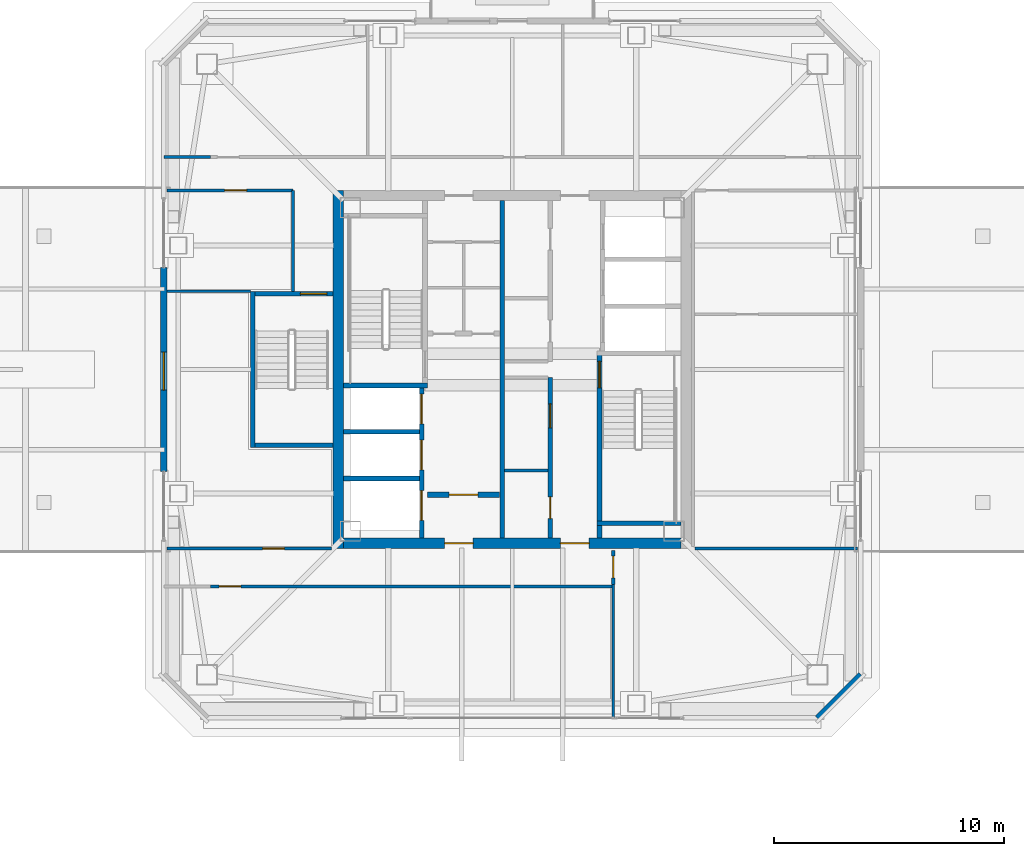
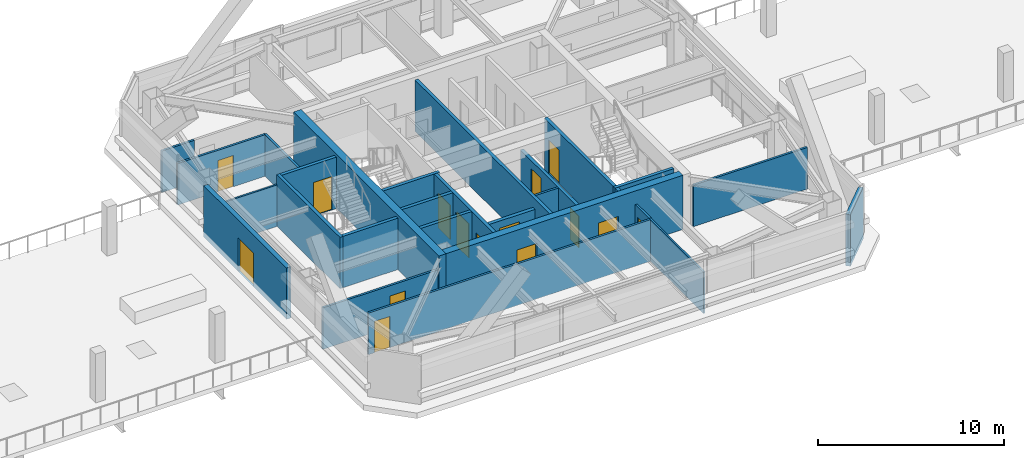
# One storey, part 27 of 37: 26 walls, 15 doors, 15 openings.
"""IFC4 building model written with IfcOpenShell, lengths in metres."""

import ifcopenshell
import ifcopenshell.guid

model = None  # the IFC model being written
_history = None  # IfcOwnerHistory: only IFC2X3 demands one
_inside = {}  # id of a spatial element -> (the spatial element, [elements in it])
_under = {}  # id of a project, library or spatial element -> (it, [spatial elements below it])
_declared = {}  # id of a project -> (the project, [libraries it declares])
_typed = {}  # id of a type object -> (the type object, [elements of that type])
_made_of = {}  # id of a material, layer set ... -> (it, [elements and type objects made of it])


def new_model(schema):
    """Start an empty IFC model of exactly this schema.

    Asked for "IFC4X3", IfcOpenShell would pick the latest addendum, in which some entities
    have other attributes; the version numbers below select the first issue.
    IFC2X3 requires an IfcOwnerHistory on every rooted entity: one is made here for all.
    """
    global model, _history
    if schema == "IFC4X3":
        model = ifcopenshell.file(schema_version=(4, 3, 0, 0))
    else:
        model = ifcopenshell.file(schema=schema)
    _inside.clear()
    _under.clear()
    _declared.clear()
    _typed.clear()
    _made_of.clear()
    _history = None
    if model.schema == "IFC2X3":
        org = make("IfcOrganization", Name="unknown")
        user = make(
            "IfcPersonAndOrganization",
            ThePerson=make("IfcPerson", FamilyName="unknown"),
            TheOrganization=org,
        )
        app = make(
            "IfcApplication",
            ApplicationDeveloper=org,
            Version="unknown",
            ApplicationFullName="unknown",
            ApplicationIdentifier="unknown",
        )
        _history = make(
            "IfcOwnerHistory",
            OwningUser=user,
            OwningApplication=app,
            ChangeAction="ADDED",
            CreationDate=0,
        )
    return model


def make(cls, **values):
    """One entity of the class cls with the attributes given. An attribute that is None is left unset."""
    return model.create_entity(
        cls, **{name: value for name, value in values.items() if value is not None}
    )


def rooted(cls, **values):
    """An entity with a GlobalId (a new one), such as an element, a storey or a relation."""
    return make(cls, GlobalId=ifcopenshell.guid.new(), OwnerHistory=_history, **values)


def si_unit(unit_type, name, prefix=None):
    """IfcSIUnit, for example si_unit("LENGTHUNIT", "METRE", prefix="MILLI")."""
    return make("IfcSIUnit", UnitType=unit_type, Prefix=prefix, Name=name)


def assignment(units):
    """IfcUnitAssignment: the units of a project."""
    return None if units is None else make("IfcUnitAssignment", Units=units)


def point(xyz):
    """IfcCartesianPoint."""
    return None if xyz is None else make("IfcCartesianPoint", Coordinates=xyz)


def direction(xyz):
    """IfcDirection."""
    return None if xyz is None else make("IfcDirection", DirectionRatios=xyz)


def frame(location, z_axis=None, x_axis=None):
    """IfcAxis2Placement3D, a coordinate frame: its origin and axes. An axis left out is left unset."""
    return make(
        "IfcAxis2Placement3D",
        Location=point(location),
        Axis=direction(z_axis),
        RefDirection=direction(x_axis),
    )


def frame_2d(location, x_axis=None):
    """IfcAxis2Placement2D, a coordinate frame in the plane: its origin and x axis."""
    return make(
        "IfcAxis2Placement2D", Location=point(location), RefDirection=direction(x_axis)
    )


def origin():
    """The frame at (0, 0, 0) with its axes left unset."""
    return frame((0.0, 0.0, 0.0))


def place(relative_to, where):
    """IfcLocalPlacement: puts the frame where relative to a parent placement (None: the world)."""
    return make(
        "IfcLocalPlacement", PlacementRelTo=relative_to, RelativePlacement=where
    )


def context(
    kind, dimensions, precision=None, world=None, true_north=None, identifier=None
):
    """IfcGeometricRepresentationContext, for example the 3D "Model" context."""
    return make(
        "IfcGeometricRepresentationContext",
        ContextIdentifier=identifier,
        ContextType=kind,
        CoordinateSpaceDimension=dimensions,
        Precision=precision,
        WorldCoordinateSystem=world,
        TrueNorth=true_north,
    )


def subcontext(parent, identifier, kind, view, scale=None):
    """IfcGeometricRepresentationSubContext, for example "Body" below "Model"."""
    return make(
        "IfcGeometricRepresentationSubContext",
        ContextIdentifier=identifier,
        ContextType=kind,
        ParentContext=parent,
        TargetScale=scale,
        TargetView=view,
    )


def project(units=None, contexts=None):
    """IfcProject with its units and contexts."""
    return rooted(
        "IfcProject",
        Name="project",
        RepresentationContexts=contexts,
        UnitsInContext=assignment(units),
    )


def spatial(cls, under=None, at=None, **own):
    """A site, building, storey or space (cls), placed at a placement, below another one or the project."""
    s = rooted(cls, ObjectPlacement=at, **own)
    if under is not None:
        _under.setdefault(under.id(), (under, []))[1].append(s)
    return s


def profile(cls, at=None, kind="AREA", **sizes):
    """A parametric profile (cls). Its sizes go by their IFC names, for example OverallWidth=200.0."""
    return make(cls, ProfileType=kind, Position=at, **sizes)


def rectangle(**sizes):
    """IfcRectangleProfileDef."""
    return profile("IfcRectangleProfileDef", **sizes)


def extrude(swept, where, along, depth):
    """IfcExtrudedAreaSolid: the profile swept, set in the frame where, extruded along a direction by depth."""
    return make(
        "IfcExtrudedAreaSolid",
        SweptArea=swept,
        Position=where,
        ExtrudedDirection=direction(along),
        Depth=depth,
    )


def shape(context_of_items, identifier, shape_type, items):
    """IfcShapeRepresentation: the items that make up one representation, for example the "Body"."""
    return make(
        "IfcShapeRepresentation",
        ContextOfItems=context_of_items,
        RepresentationIdentifier=identifier,
        RepresentationType=shape_type,
        Items=items,
    )


def material(Name=None, Category=None):
    """IfcMaterial."""
    return make("IfcMaterial", Name=Name, Category=Category)


def layer(
    of_material, thickness, ventilated=None, Name=None, Category=None, Priority=None
):
    """IfcMaterialLayer: one layer of a wall or slab, of a material (None: an air gap)."""
    return make(
        "IfcMaterialLayer",
        Material=of_material,
        LayerThickness=thickness,
        IsVentilated=ventilated,
        Name=Name,
        Category=Category,
        Priority=Priority,
    )


def layer_set(layers, Name=None):
    """IfcMaterialLayerSet."""
    return make("IfcMaterialLayerSet", MaterialLayers=layers, LayerSetName=Name)


def made_of(thing, what):
    """Note that an element or type object is made of a material, layer set ...; save() writes the relation."""
    if what is not None:
        _made_of.setdefault(what.id(), (what, []))[1].append(thing)
    return thing


def type_object(cls, material=None, **own):
    """A type object (cls), such as IfcWallType, which elements share."""
    return made_of(rooted(cls, **own), material)


def element(
    cls,
    number,
    at=None,
    inside=None,
    cuts=None,
    type_object=None,
    material=None,
    context=None,
    identifier="Body",
    shape_type=None,
    held_by="IfcProductDefinitionShape",
    body=None,
    shapes=None,
    **own,
):
    """One element of the class cls, such as IfcWall. Its Tag is "e" and its number.

    at: its placement. inside: the storey or other place that contains it. cuts: it is an
    opening in that element (IfcRelVoidsElement). A single representation is given by context,
    identifier, shape_type and body (its items); several are given by shapes. held_by: the class
    of the entity that holds the representations. save() writes the other relations.
    """
    e = rooted(cls, Tag="e%d" % number, ObjectPlacement=at, **own)
    if body is not None:
        shapes = [shape(context, identifier, shape_type, body)]
    if shapes is not None:
        e.Representation = make(held_by, Representations=shapes)
    if inside is not None:
        _inside.setdefault(inside.id(), (inside, []))[1].append(e)
    if cuts is not None:
        rooted(
            "IfcRelVoidsElement", RelatingBuildingElement=cuts, RelatedOpeningElement=e
        )
    if type_object is not None:
        _typed.setdefault(type_object.id(), (type_object, []))[1].append(e)
    return made_of(e, material)


def fill(opening, filler):
    """IfcRelFillsElement: the door or window that sits in an opening."""
    return rooted(
        "IfcRelFillsElement",
        RelatingOpeningElement=opening,
        RelatedBuildingElement=filler,
    )


def aggregate(whole, parts):
    """IfcRelAggregates: a whole, such as a stair, and the parts it consists of."""
    return rooted("IfcRelAggregates", RelatingObject=whole, RelatedObjects=parts)


def save(model, path):
    """Write the relations noted so far, then the file.

    IfcRelAggregates (storeys below a building ...), IfcRelContainedInSpatialStructure (elements
    in a storey), IfcRelDefinesByType, IfcRelAssociatesMaterial and IfcRelDeclares: one each for
    every whole, place, type object, material and project.
    """
    for whole, parts in _under.values():
        aggregate(whole, parts)
    for where, things in _inside.values():
        rooted(
            "IfcRelContainedInSpatialStructure",
            RelatedElements=things,
            RelatingStructure=where,
        )
    for kind, things in _typed.values():
        rooted("IfcRelDefinesByType", RelatedObjects=things, RelatingType=kind)
    for what, things in _made_of.values():
        rooted("IfcRelAssociatesMaterial", RelatedObjects=things, RelatingMaterial=what)
    for by, libraries in _declared.values():
        rooted("IfcRelDeclares", RelatingContext=by, RelatedDefinitions=libraries)
    model.write(path)


model = new_model("IFC4")

# Units and contexts
model_context = context("Model", 3, precision=1e-05, world=origin(), true_north=direction((0.0, 1.0)))
body_context = subcontext(model_context, "Body", "Model", "MODEL_VIEW")
ifc_project = project(units=[si_unit("LENGTHUNIT", "METRE"), si_unit("AREAUNIT", "SQUARE_METRE"), si_unit("VOLUMEUNIT", "CUBIC_METRE"), si_unit("PLANEANGLEUNIT", "RADIAN"), si_unit("MASSUNIT", "GRAM", prefix="KILO")], contexts=[model_context])

# Site, building, storey
site_placement = place(None, origin())
site = spatial("IfcSite", under=ifc_project, at=site_placement, CompositionType="ELEMENT")
building_placement = place(site_placement, origin())
building = spatial("IfcBuilding", under=site, at=building_placement, Name="Tashvorn Skyway Center", CompositionType="ELEMENT")
storey_placement = place(building_placement, frame((0.0, 0.0, 263.39990234375)))
storey = spatial("IfcBuildingStorey", under=building, at=storey_placement, Name="L71", CompositionType="ELEMENT", Elevation=263.39990234375)

# Wall
ifc_material_1 = material(Name="Concrete C50/60", Category="concrete")
ifc_layer_1 = layer(ifc_material_1, 0.449951171875)
ifc_layer_set_1 = layer_set([ifc_layer_1], Name="Concrete C50/60")
wall_type_1 = type_object("IfcWallType", Name="WALL-CORE-450", PredefinedType="SHEAR", material=ifc_layer_set_1)
wall_1_placement = place(storey_placement, frame((34.425048828125, 24.199951171875, 0.0), z_axis=(0.0, 0.0, 1.0), x_axis=(0.0, 1.0, 0.0)))
element("IfcWall", 1, at=wall_1_placement, inside=storey, type_object=wall_type_1, Name="Tower 1 L71 West Core Shear Wall", PredefinedType="SHEAR", context=body_context, shape_type="SweptSolid", body=[
    extrude(rectangle(XDim=15.60009765625, YDim=0.449951171875, at=frame_2d((7.800048828125, 0.0))), origin(), (0.0, 0.0, 1.0), 3.550048828125),
])

# Wall, openings, doors
wall_2_placement = place(storey_placement, frame((49.35009765625, 24.425048828125, 0.0), z_axis=(0.0, 0.0, 1.0), x_axis=(-1.0, 0.0, 0.0)))
wall_2 = element("IfcWall", 2, at=wall_2_placement, inside=storey, type_object=wall_type_1, Name="Tower 1 L71 South Core Shear Wall", PredefinedType="SHEAR", context=body_context, shape_type="SweptSolid", body=[
    extrude(rectangle(XDim=14.7001953125, YDim=0.449951171875, at=frame_2d((7.35009765625, 0.0))), origin(), (0.0, 0.0, 1.0), 3.550048828125),
])
opening_1_placement = place(wall_2_placement, frame((9.050048828125, 0.0, 0.0)))
opening_1 = element("IfcOpeningElement", 3, at=opening_1_placement, cuts=wall_2, Name="Opening D-FFL-1250", PredefinedType="OPENING", context=body_context, shape_type="SweptSolid", body=[
    extrude(rectangle(XDim=1.25, YDim=2.25, at=frame_2d((0.625, 1.125))), frame((0.0, 0.23486328125, 0.0), z_axis=(0.0, -1.0, 0.0), x_axis=(1.0, 0.0, 0.0)), (0.0, 0.0, 1.0), 0.469970703125),
])
opening_2_placement = place(wall_2_placement, frame((4.0, 0.0, 0.0)))
opening_2 = element("IfcOpeningElement", 4, at=opening_2_placement, cuts=wall_2, Name="Opening D-FFL-1250", PredefinedType="OPENING", context=body_context, shape_type="SweptSolid", body=[
    extrude(rectangle(XDim=1.25, YDim=2.25, at=frame_2d((0.625, 1.125))), frame((0.0, 0.23486328125, 0.0), z_axis=(0.0, -1.0, 0.0), x_axis=(1.0, 0.0, 0.0)), (0.0, 0.0, 1.0), 0.469970703125),
])
ifc_material_2 = material(Name="Hollow galvanized steel fire door assembly", Category="steel")
door_type_1 = type_object("IfcDoorType", Name="DOOR-FFL-1250", OperationType="NOTDEFINED", PredefinedType="DOOR", material=ifc_material_2)
door_1_placement = place(opening_1_placement, origin())
door_1 = element("IfcDoor", 5, at=door_1_placement, inside=storey, type_object=door_type_1, Name="Tower 1 L71 Core South Firefighting Exit Door", OperationType="SINGLE_SWING_LEFT", OverallHeight=2.25, OverallWidth=1.25, PredefinedType="DOOR", context=body_context, shape_type="SweptSolid", body=[
    extrude(rectangle(XDim=1.25, YDim=2.25, at=frame_2d((0.625, 1.125))), frame((0.0, 0.02490234375, 0.0), z_axis=(0.0, -1.0, 0.0), x_axis=(1.0, 0.0, 0.0)), (0.0, 0.0, 1.0), 0.050048828125),
])
fill(opening_1, door_1)
door_2_placement = place(opening_2_placement, origin())
door_2 = element("IfcDoor", 6, at=door_2_placement, inside=storey, type_object=door_type_1, Name="Tower 1 L71 Core South Lift Lobby Door", OperationType="SINGLE_SWING_RIGHT", OverallHeight=2.25, OverallWidth=1.25, PredefinedType="DOOR", context=body_context, shape_type="SweptSolid", body=[
    extrude(rectangle(XDim=1.25, YDim=2.25, at=frame_2d((0.625, 1.125))), frame((0.0, 0.02490234375, 0.0), z_axis=(0.0, -1.0, 0.0), x_axis=(1.0, 0.0, 0.0)), (0.0, 0.0, 1.0), 0.050048828125),
])
fill(opening_2, door_2)

# Wall, opening, door
ifc_material_3 = material(Name="Precast concrete C40/50", Category="concrete")
ifc_layer_2 = layer(ifc_material_3, 0.280029296875)
ifc_layer_set_2 = layer_set([ifc_layer_2], Name="Precast concrete C40/50")
wall_type_2 = type_object("IfcWallType", Name="WALL-EXT-280", PredefinedType="SOLIDWALL", material=ifc_layer_set_2)
wall_3_placement = place(storey_placement, frame((26.820068359375, 27.550048828125, 0.0), z_axis=(0.0, 0.0, 1.0), x_axis=(0.0, 1.0, 0.0)))
wall_3 = element("IfcWall", 7, at=wall_3_placement, inside=storey, type_object=wall_type_2, Name="Tower 1 L71 West Sky-Park Promenade Portal Wall", PredefinedType="SOLIDWALL", context=body_context, shape_type="SweptSolid", body=[
    extrude(rectangle(XDim=8.89990234375, YDim=0.280029296875, at=frame_2d((4.449951171875, 0.0))), origin(), (0.0, 0.0, 1.0), 3.3701171875),
])
opening_3_placement = place(wall_3_placement, frame((3.550048828125, 0.0, 0.0)))
opening_3 = element("IfcOpeningElement", 8, at=opening_3_placement, cuts=wall_3, Name="Opening D-TER-1650", PredefinedType="OPENING", context=body_context, shape_type="SweptSolid", body=[
    extrude(rectangle(XDim=1.64990234375, YDim=2.199951171875, at=frame_2d((0.824951171875, 1.10009765625))), frame((0.0, 0.14990234375, 0.0), z_axis=(0.0, -1.0, 0.0), x_axis=(1.0, 0.0, 0.0)), (0.0, 0.0, 1.0), 0.300048828125),
])
ifc_material_4 = material(Name="Thermally broken bronze-anodized aluminium 6063-T6", Category="aluminium")
door_type_2 = type_object("IfcDoorType", Name="DOOR-TERR-1650", OperationType="DOUBLE_DOOR_SINGLE_SWING", PredefinedType="DOOR", material=ifc_material_4)
door_3_placement = place(opening_3_placement, origin())
door_3 = element("IfcDoor", 9, at=door_3_placement, inside=storey, type_object=door_type_2, Name="Tower 1 L71 West Sky-Park Promenade Double Door", OperationType="DOUBLE_DOOR_SINGLE_SWING", OverallHeight=2.199951171875, OverallWidth=1.64990234375, PredefinedType="DOOR", context=body_context, shape_type="SweptSolid", body=[
    extrude(rectangle(XDim=1.64990234375, YDim=2.199951171875, at=frame_2d((0.824951171875, 1.10009765625))), frame((0.0, 0.02490234375, 0.0), z_axis=(0.0, -1.0, 0.0), x_axis=(1.0, 0.0, 0.0)), (0.0, 0.0, 1.0), 0.050048828125),
])
fill(opening_3, door_3)

# Wall
wall_4_placement = place(storey_placement, frame((57.199951171875, 18.699951171875, 0.0), z_axis=(0.0, 0.0, 1.0), x_axis=(-0.707106781187, -0.707106781187, 0.0)))
element("IfcWall", 10, at=wall_4_placement, inside=storey, type_object=wall_type_2, Name="Tower 1 L71 SE Precast Chamfer Wall", PredefinedType="SOLIDWALL", context=body_context, shape_type="SweptSolid", body=[
    extrude(rectangle(XDim=2.686767578125, YDim=0.280029296875, at=frame_2d((1.34326171875, 0.0))), origin(), (0.0, 0.0, 1.0), 3.3701171875),
])

# Wall, opening, door
ifc_material_5 = material(Name="Concrete C40/50", Category="concrete")
ifc_layer_3 = layer(ifc_material_5, 0.219970703125)
ifc_layer_set_3 = layer_set([ifc_layer_3], Name="Concrete C40/50")
wall_type_3 = type_object("IfcWallType", Name="WALL-FFL-220", PredefinedType="SOLIDWALL", material=ifc_layer_set_3)
wall_5_placement = place(storey_placement, frame((38.300048828125, 26.5400390625, 0.0), z_axis=(0.0, 0.0, 1.0), x_axis=(1.0, 0.0, 0.0)))
wall_5 = element("IfcWall", 11, at=wall_5_placement, inside=storey, type_object=wall_type_3, Name="Tower 1 L71 Firefighting Lobby South Wall", PredefinedType="SOLIDWALL", context=body_context, shape_type="SweptSolid", body=[
    extrude(rectangle(XDim=3.14990234375, YDim=0.219970703125, at=frame_2d((1.574951171875, 0.0))), origin(), (0.0, 0.0, 1.0), 2.72314453125),
])
opening_4_placement = place(wall_5_placement, frame((0.949951171875, 0.0, 0.0)))
opening_4 = element("IfcOpeningElement", 12, at=opening_4_placement, cuts=wall_5, Name="Opening D-FFL-1250", PredefinedType="OPENING", context=body_context, shape_type="SweptSolid", body=[
    extrude(rectangle(XDim=1.25, YDim=2.25, at=frame_2d((0.625, 1.125))), frame((0.0, 0.119873046875, 0.0), z_axis=(0.0, -1.0, 0.0), x_axis=(1.0, 0.0, 0.0)), (0.0, 0.0, 1.0), 0.239990234375),
])
door_4_placement = place(opening_4_placement, origin())
door_4 = element("IfcDoor", 13, at=door_4_placement, inside=storey, type_object=door_type_1, Name="Tower 1 L71 Firefighting Lobby Egress Door", OperationType="SINGLE_SWING_LEFT", OverallHeight=2.25, OverallWidth=1.25, PredefinedType="DOOR", context=body_context, shape_type="SweptSolid", body=[
    extrude(rectangle(XDim=1.25, YDim=2.25, at=frame_2d((0.625, 1.125))), frame((0.0, 0.02490234375, 0.0), z_axis=(0.0, -1.0, 0.0), x_axis=(1.0, 0.0, 0.0)), (0.0, 0.0, 1.0), 0.050048828125),
])
fill(opening_4, door_4)

# Walls
ifc_material_6 = material(Name="Gypsum board on cold-formed steel stud framing", Category="steel")
ifc_layer_4 = layer(ifc_material_6, 0.110107421875)
ifc_layer_set_4 = layer_set([ifc_layer_4], Name="Gypsum board on cold-formed steel stud framing")
wall_type_4 = type_object("IfcWallType", Name="WALL-PART-110", PredefinedType="PARTITIONING", material=ifc_layer_set_4)
wall_6_placement = place(storey_placement, frame((46.39990234375, 16.820068359375, 0.0), z_axis=(0.0, 0.0, 1.0), x_axis=(0.0, 1.0, 0.0)))
element("IfcWall", 14, at=wall_6_placement, inside=storey, type_object=wall_type_4, Name="Tower 1 L71 South-East Suite Wall", PredefinedType="PARTITIONING", context=body_context, shape_type="SweptSolid", body=[
    extrude(rectangle(XDim=5.809814453125, YDim=0.110107421875, at=frame_2d((2.90478515625, 0.0))), origin(), (0.0, 0.0, 1.0), 2.72314453125),
])
wall_7_placement = place(storey_placement, frame((30.60009765625, 35.39990234375, 0.0), z_axis=(0.0, 0.0, 1.0), x_axis=(-1.0, 0.0, 0.0)))
element("IfcWall", 15, at=wall_7_placement, inside=storey, type_object=wall_type_4, Name="Tower 1 L71 West Suite Partition 1", PredefinedType="PARTITIONING", context=body_context, shape_type="SweptSolid", body=[
    extrude(rectangle(XDim=3.630126953125, YDim=0.110107421875, at=frame_2d((1.81494140625, 0.0))), origin(), (0.0, 0.0, 1.0), 2.72314453125),
])
ifc_layer_5 = layer(ifc_material_6, 0.135009765625)
ifc_layer_set_5 = layer_set([ifc_layer_5], Name="Gypsum board on cold-formed steel stud framing")
wall_type_5 = type_object("IfcWallType", Name="WALL-PART-135", PredefinedType="PARTITIONING", material=ifc_layer_set_5)
wall_8_placement = place(storey_placement, frame((32.449951171875, 35.39990234375, 0.0), z_axis=(0.0, 0.0, 1.0), x_axis=(0.0, 1.0, 0.0)))
element("IfcWall", 16, at=wall_8_placement, inside=storey, type_object=wall_type_5, Name="Tower 1 L71 Stair 3 Access Corridor Wall", PredefinedType="PARTITIONING", context=body_context, shape_type="SweptSolid", body=[
    extrude(rectangle(XDim=4.400146484375, YDim=0.135009765625, at=frame_2d((2.2001953125, 0.0))), origin(), (0.0, 0.0, 1.0), 2.72314453125),
])
wall_9_placement = place(storey_placement, frame((26.820068359375, 41.25, 0.0), z_axis=(0.0, 0.0, 1.0), x_axis=(1.0, 0.0, 0.0)))
element("IfcWall", 17, at=wall_9_placement, inside=storey, type_object=wall_type_5, Name="Tower 1 L71 North-West Suite South Wall", PredefinedType="PARTITIONING", context=body_context, shape_type="SweptSolid", body=[
    extrude(rectangle(XDim=2.030029296875, YDim=0.135009765625, at=frame_2d((1.01513671875, 0.0))), origin(), (0.0, 0.0, 1.0), 2.72314453125),
])

# Wall, opening, door
wall_10_placement = place(storey_placement, frame((46.39990234375, 22.550048828125, 0.0), z_axis=(0.0, 0.0, 1.0), x_axis=(-1.0, 0.0, 0.0)))
wall_10 = element("IfcWall", 18, at=wall_10_placement, inside=storey, type_object=wall_type_5, Name="Tower 1 L71 South Suite Wall", PredefinedType="PARTITIONING", context=body_context, shape_type="SweptSolid", body=[
    extrude(rectangle(XDim=17.5498046875, YDim=0.135009765625, at=frame_2d((8.77490234375, 0.0))), origin(), (0.0, 0.0, 1.0), 2.72314453125),
])
opening_5_placement = place(wall_10_placement, frame((16.219970703125, 0.0, 0.0)))
opening_5 = element("IfcOpeningElement", 19, at=opening_5_placement, cuts=wall_10, Name="Opening D-INT-950", PredefinedType="OPENING", context=body_context, shape_type="SweptSolid", body=[
    extrude(rectangle(XDim=0.949951171875, YDim=2.050048828125, at=frame_2d((0.47509765625, 1.02490234375))), frame((0.0, 0.077392578125, 0.0), z_axis=(0.0, -1.0, 0.0), x_axis=(1.0, 0.0, 0.0)), (0.0, 0.0, 1.0), 0.155029296875),
])
ifc_material_7 = material(Name="Solid-core architectural oak veneer door")
door_type_3 = type_object("IfcDoorType", Name="DOOR-INT-950", OperationType="NOTDEFINED", PredefinedType="DOOR", material=ifc_material_7)
door_5_placement = place(opening_5_placement, origin())
door_5 = element("IfcDoor", 20, at=door_5_placement, inside=storey, type_object=door_type_3, Name="Tower 1 L71 Executive Study Lounge Door", OperationType="SINGLE_SWING_LEFT", OverallHeight=2.050048828125, OverallWidth=0.949951171875, PredefinedType="DOOR", context=body_context, shape_type="SweptSolid", body=[
    extrude(rectangle(XDim=0.949951171875, YDim=2.050048828125, at=frame_2d((0.47509765625, 1.02490234375))), frame((0.0, 0.02490234375, 0.0), z_axis=(0.0, -1.0, 0.0), x_axis=(1.0, 0.0, 0.0)), (0.0, 0.0, 1.0), 0.050048828125),
])
fill(opening_5, door_5)

wall_11_placement = place(storey_placement, frame((46.39990234375, 24.1201171875, 0.0), z_axis=(0.0, 0.0, 1.0), x_axis=(0.0, -1.0, 0.0)))
wall_11 = element("IfcWall", 21, at=wall_11_placement, inside=storey, type_object=wall_type_5, Name="Tower 1 L71 South Gallery End Wall", PredefinedType="PARTITIONING", context=body_context, shape_type="SweptSolid", body=[
    extrude(rectangle(XDim=1.490234375, YDim=0.135009765625, at=frame_2d((0.7451171875, 0.0))), origin(), (0.0, 0.0, 1.0), 2.72314453125),
])
opening_6_placement = place(wall_11_placement, frame((0.25, 0.0, 0.0)))
opening_6 = element("IfcOpeningElement", 22, at=opening_6_placement, cuts=wall_11, Name="Opening D-INT-950", PredefinedType="OPENING", context=body_context, shape_type="SweptSolid", body=[
    extrude(rectangle(XDim=0.949951171875, YDim=2.050048828125, at=frame_2d((0.47509765625, 1.02490234375))), frame((0.0, 0.077392578125, 0.0), z_axis=(0.0, -1.0, 0.0), x_axis=(1.0, 0.0, 0.0)), (0.0, 0.0, 1.0), 0.155029296875),
])
door_6_placement = place(opening_6_placement, origin())
door_6 = element("IfcDoor", 23, at=door_6_placement, inside=storey, type_object=door_type_3, Name="Tower 1 L71 Open Plan Office Door", OperationType="SINGLE_SWING_RIGHT", OverallHeight=2.050048828125, OverallWidth=0.949951171875, PredefinedType="DOOR", context=body_context, shape_type="SweptSolid", body=[
    extrude(rectangle(XDim=0.949951171875, YDim=2.050048828125, at=frame_2d((0.47509765625, 1.02490234375))), frame((0.0, 0.02490234375, 0.0), z_axis=(0.0, -1.0, 0.0), x_axis=(1.0, 0.0, 0.0)), (0.0, 0.0, 1.0), 0.050048828125),
])
fill(opening_6, door_6)

# Wall
wall_12_placement = place(storey_placement, frame((49.9599609375, 24.199951171875, 0.0), z_axis=(0.0, 0.0, 1.0), x_axis=(1.0, 0.0, 0.0)))
element("IfcWall", 24, at=wall_12_placement, inside=storey, type_object=wall_type_5, Name="Tower 1 L71 East Suite South Wall", PredefinedType="PARTITIONING", context=body_context, shape_type="SweptSolid", body=[
    extrude(rectangle(XDim=7.070068359375, YDim=0.135009765625, at=frame_2d((3.53515625, 0.0))), origin(), (0.0, 0.0, 1.0), 2.72314453125),
])

# Wall, opening, door
wall_13_placement = place(storey_placement, frame((32.449951171875, 39.800048828125, 0.0), z_axis=(0.0, 0.0, 1.0), x_axis=(-1.0, 0.0, 0.0)))
wall_13 = element("IfcWall", 25, at=wall_13_placement, inside=storey, type_object=wall_type_5, Name="Tower 1 L71 West Suite North Wall", PredefinedType="PARTITIONING", context=body_context, shape_type="SweptSolid", body=[
    extrude(rectangle(XDim=5.47998046875, YDim=0.135009765625, at=frame_2d((2.739990234375, 0.0))), origin(), (0.0, 0.0, 1.0), 2.72314453125),
])
opening_7_placement = place(wall_13_placement, frame((2.02490234375, 0.0, 0.0)))
opening_7 = element("IfcOpeningElement", 26, at=opening_7_placement, cuts=wall_13, Name="Opening D-INT-950", PredefinedType="OPENING", context=body_context, shape_type="SweptSolid", body=[
    extrude(rectangle(XDim=0.949951171875, YDim=2.050048828125, at=frame_2d((0.47509765625, 1.02490234375))), frame((0.0, 0.077392578125, 0.0), z_axis=(0.0, -1.0, 0.0), x_axis=(1.0, 0.0, 0.0)), (0.0, 0.0, 1.0), 0.155029296875),
])
door_7_placement = place(opening_7_placement, origin())
door_7 = element("IfcDoor", 27, at=door_7_placement, inside=storey, type_object=door_type_3, Name="Tower 1 L71 Reading Lounge Door", OperationType="SINGLE_SWING_LEFT", OverallHeight=2.050048828125, OverallWidth=0.949951171875, PredefinedType="DOOR", context=body_context, shape_type="SweptSolid", body=[
    extrude(rectangle(XDim=0.949951171875, YDim=2.050048828125, at=frame_2d((0.47509765625, 1.02490234375))), frame((0.0, 0.02490234375, 0.0), z_axis=(0.0, -1.0, 0.0), x_axis=(1.0, 0.0, 0.0)), (0.0, 0.0, 1.0), 0.050048828125),
])
fill(opening_7, door_7)

wall_14_placement = place(storey_placement, frame((26.969970703125, 24.199951171875, 0.0), z_axis=(0.0, 0.0, 1.0), x_axis=(1.0, 0.0, 0.0)))
wall_14 = element("IfcWall", 28, at=wall_14_placement, inside=storey, type_object=wall_type_5, Name="Tower 1 L71 West Suite South Wall", PredefinedType="PARTITIONING", context=body_context, shape_type="SweptSolid", body=[
    extrude(rectangle(XDim=7.150146484375, YDim=0.135009765625, at=frame_2d((3.5751953125, 0.0))), origin(), (0.0, 0.0, 1.0), 2.72314453125),
])
opening_8_placement = place(wall_14_placement, frame((4.155029296875, 0.0, 0.0)))
opening_8 = element("IfcOpeningElement", 29, at=opening_8_placement, cuts=wall_14, Name="Opening D-INT-950", PredefinedType="OPENING", context=body_context, shape_type="SweptSolid", body=[
    extrude(rectangle(XDim=0.949951171875, YDim=2.050048828125, at=frame_2d((0.47509765625, 1.02490234375))), frame((0.0, 0.077392578125, 0.0), z_axis=(0.0, -1.0, 0.0), x_axis=(1.0, 0.0, 0.0)), (0.0, 0.0, 1.0), 0.155029296875),
])
door_8_placement = place(opening_8_placement, origin())
door_8 = element("IfcDoor", 30, at=door_8_placement, inside=storey, type_object=door_type_3, Name="Tower 1 L71 Public Restroom Door", OperationType="SINGLE_SWING_RIGHT", OverallHeight=2.050048828125, OverallWidth=0.949951171875, PredefinedType="DOOR", context=body_context, shape_type="SweptSolid", body=[
    extrude(rectangle(XDim=0.949951171875, YDim=2.050048828125, at=frame_2d((0.47509765625, 1.02490234375))), frame((0.0, 0.02490234375, 0.0), z_axis=(0.0, -1.0, 0.0), x_axis=(1.0, 0.0, 0.0)), (0.0, 0.0, 1.0), 0.050048828125),
])
fill(opening_8, door_8)

# Walls
ifc_layer_6 = layer(ifc_material_6, 0.135009765625)
ifc_layer_set_6 = layer_set([ifc_layer_6], Name="Gypsum board on cold-formed steel stud framing")
wall_type_6 = type_object("IfcWallType", Name="WALL-RATED-135", PredefinedType="PARTITIONING", material=ifc_layer_set_6)
wall_15_placement = place(storey_placement, frame((41.669921875, 27.60009765625, 0.0), z_axis=(0.0, 0.0, 1.0), x_axis=(1.0, 0.0, 0.0)))
element("IfcWall", 31, at=wall_15_placement, inside=storey, type_object=wall_type_6, Name="Tower 1 L71 Freed Core Partition", PredefinedType="PARTITIONING", context=body_context, shape_type="SweptSolid", body=[
    extrude(rectangle(XDim=1.880126953125, YDim=0.135009765625, at=frame_2d((0.93994140625, 0.0))), origin(), (0.0, 0.0, 1.0), 2.72314453125),
])
ifc_layer_7 = layer(ifc_material_5, 0.199951171875)
ifc_layer_set_7 = layer_set([ifc_layer_7], Name="Concrete C40/50")
wall_type_7 = type_object("IfcWallType", Name="WALL-SHAFT-200", PredefinedType="SOLIDWALL", material=ifc_layer_set_7)
for number, where, z_axis, x_axis, name in (
    (32, (34.64990234375, 27.25, 0.0), (0.0, 0.0, 1.0), (1.0, 0.0, 0.0), "Tower 1 L71 FSAE Shaft Divider"),
    (33, (34.64990234375, 29.280029296875, 0.0), (0.0, 0.0, 1.0), (1.0, 0.0, 0.0), "Tower 1 L71 FSAE Shaft Divider"),
):
    element("IfcWall", number, at=place(storey_placement, frame(where, z_axis=z_axis, x_axis=x_axis)), inside=storey, type_object=wall_type_7, Name=name, PredefinedType="SOLIDWALL", context=body_context, shape_type="SweptSolid", body=[
        extrude(rectangle(XDim=3.300048828125, YDim=0.199951171875, at=frame_2d((1.64990234375, 0.0))), origin(), (0.0, 0.0, 1.0), 3.3701171875),
    ])

# Wall, openings, doors
wall_16_placement = place(storey_placement, frame((43.64990234375, 24.64990234375, 0.0), z_axis=(0.0, 0.0, 1.0), x_axis=(0.0, 1.0, 0.0)))
wall_16 = element("IfcWall", 34, at=wall_16_placement, inside=storey, type_object=wall_type_7, Name="Tower 1 L71 Low-Rise Core Wall", PredefinedType="SOLIDWALL", context=body_context, shape_type="SweptSolid", body=[
    extrude(rectangle(XDim=7.0, YDim=0.199951171875, at=frame_2d((3.5, 0.0))), origin(), (0.0, 0.0, 1.0), 2.72314453125),
])
opening_9_placement = place(wall_16_placement, frame((0.85009765625, 0.0, 0.0)))
opening_9 = element("IfcOpeningElement", 35, at=opening_9_placement, cuts=wall_16, Name="Opening D-RT-950", PredefinedType="OPENING", context=body_context, shape_type="SweptSolid", body=[
    extrude(rectangle(XDim=0.949951171875, YDim=2.050048828125, at=frame_2d((0.47509765625, 1.02490234375))), frame((0.0, 0.10986328125, 0.0), z_axis=(0.0, -1.0, 0.0), x_axis=(1.0, 0.0, 0.0)), (0.0, 0.0, 1.0), 0.219970703125),
])
opening_10_placement = place(wall_16_placement, frame((4.800048828125, 0.0, 0.0)))
opening_10 = element("IfcOpeningElement", 36, at=opening_10_placement, cuts=wall_16, Name="Opening D-RT-1050", PredefinedType="OPENING", context=body_context, shape_type="SweptSolid", body=[
    extrude(rectangle(XDim=1.050048828125, YDim=2.199951171875, at=frame_2d((0.52490234375, 1.10009765625))), frame((0.0, 0.10986328125, 0.0), z_axis=(0.0, -1.0, 0.0), x_axis=(1.0, 0.0, 0.0)), (0.0, 0.0, 1.0), 0.219970703125),
])
door_type_4 = type_object("IfcDoorType", Name="DOOR-RATED-1050", OperationType="NOTDEFINED", PredefinedType="DOOR", material=ifc_material_2)
door_9_placement = place(opening_10_placement, origin())
door_9 = element("IfcDoor", 37, at=door_9_placement, inside=storey, type_object=door_type_4, Name="Tower 1 L71 Freed Core Room Door", OperationType="SINGLE_SWING_RIGHT", OverallHeight=2.199951171875, OverallWidth=1.050048828125, PredefinedType="DOOR", context=body_context, shape_type="SweptSolid", body=[
    extrude(rectangle(XDim=1.050048828125, YDim=2.199951171875, at=frame_2d((0.52490234375, 1.10009765625))), frame((0.0, 0.02490234375, 0.0), z_axis=(0.0, -1.0, 0.0), x_axis=(1.0, 0.0, 0.0)), (0.0, 0.0, 1.0), 0.050048828125),
])
fill(opening_10, door_9)
door_type_5 = type_object("IfcDoorType", Name="DOOR-RATED-950", OperationType="NOTDEFINED", PredefinedType="DOOR", material=ifc_material_2)
door_10_placement = place(opening_9_placement, origin())
door_10 = element("IfcDoor", 38, at=door_10_placement, inside=storey, type_object=door_type_5, Name="Tower 1 L71 Core Print Room Door", OperationType="SINGLE_SWING_LEFT", OverallHeight=2.050048828125, OverallWidth=0.949951171875, PredefinedType="DOOR", context=body_context, shape_type="SweptSolid", body=[
    extrude(rectangle(XDim=0.949951171875, YDim=2.050048828125, at=frame_2d((0.47509765625, 1.02490234375))), frame((0.0, 0.02490234375, 0.0), z_axis=(0.0, -1.0, 0.0), x_axis=(1.0, 0.0, 0.0)), (0.0, 0.0, 1.0), 0.050048828125),
])
fill(opening_9, door_10)

# Wall
ifc_layer_8 = layer(ifc_material_5, 0.199951171875)
ifc_layer_set_8 = layer_set([ifc_layer_8], Name="Concrete C40/50")
wall_type_8 = type_object("IfcWallType", Name="WALL-STSHF-200", PredefinedType="SHEAR", material=ifc_layer_set_8)
wall_17_placement = place(storey_placement, frame((34.64990234375, 31.300048828125, 0.0), z_axis=(0.0, 0.0, 1.0), x_axis=(1.0, 0.0, 0.0)))
element("IfcWall", 39, at=wall_17_placement, inside=storey, type_object=wall_type_8, Name="Tower 1 L71 Stair 1 South Wall", PredefinedType="SHEAR", context=body_context, shape_type="SweptSolid", body=[
    extrude(rectangle(XDim=3.650146484375, YDim=0.199951171875, at=frame_2d((1.8251953125, 0.0))), origin(), (0.0, 0.0, 1.0), 3.3701171875),
])

# Wall, opening, door
wall_18_placement = place(storey_placement, frame((45.800048828125, 32.800048828125, 0.0), z_axis=(0.0, 0.0, 1.0), x_axis=(0.0, -1.0, 0.0)))
wall_18 = element("IfcWall", 40, at=wall_18_placement, inside=storey, type_object=wall_type_8, Name="Tower 1 L71 Stair 2 Enclosure Wall", PredefinedType="SHEAR", context=body_context, shape_type="SweptSolid", body=[
    extrude(rectangle(XDim=8.150146484375, YDim=0.199951171875, at=frame_2d((4.0751953125, 0.0))), origin(), (0.0, 0.0, 1.0), 3.3701171875),
])
opening_11_placement = place(wall_18_placement, frame((0.449951171875, 0.0, 0.0)))
opening_11 = element("IfcOpeningElement", 41, at=opening_11_placement, cuts=wall_18, Name="Opening D-ST-1150", PredefinedType="OPENING", context=body_context, shape_type="SweptSolid", body=[
    extrude(rectangle(XDim=1.14990234375, YDim=2.199951171875, at=frame_2d((0.574951171875, 1.10009765625))), frame((0.0, 0.10986328125, 0.0), z_axis=(0.0, -1.0, 0.0), x_axis=(1.0, 0.0, 0.0)), (0.0, 0.0, 1.0), 0.219970703125),
])
door_type_6 = type_object("IfcDoorType", Name="DOOR-STAIR-1150", OperationType="NOTDEFINED", PredefinedType="DOOR", material=ifc_material_2)
door_11_placement = place(opening_11_placement, origin())
door_11 = element("IfcDoor", 42, at=door_11_placement, inside=storey, type_object=door_type_6, Name="Tower 1 L71 Exit Stair 2 Door", OperationType="SINGLE_SWING_RIGHT", OverallHeight=2.199951171875, OverallWidth=1.14990234375, PredefinedType="DOOR", context=body_context, shape_type="SweptSolid", body=[
    extrude(rectangle(XDim=1.14990234375, YDim=2.199951171875, at=frame_2d((0.574951171875, 1.10009765625))), frame((0.0, 0.02490234375, 0.0), z_axis=(0.0, -1.0, 0.0), x_axis=(1.0, 0.0, 0.0)), (0.0, 0.0, 1.0), 0.050048828125),
])
fill(opening_11, door_11)

# Walls
wall_19_placement = place(storey_placement, frame((45.699951171875, 25.300048828125, 0.0), z_axis=(0.0, 0.0, 1.0), x_axis=(1.0, 0.0, 0.0)))
element("IfcWall", 43, at=wall_19_placement, inside=storey, type_object=wall_type_8, Name="Tower 1 L71 Stair 2 South Wall", PredefinedType="SHEAR", context=body_context, shape_type="SweptSolid", body=[
    extrude(rectangle(XDim=3.650146484375, YDim=0.199951171875, at=frame_2d((1.8251953125, 0.0))), origin(), (0.0, 0.0, 1.0), 3.3701171875),
])
wall_20_placement = place(storey_placement, frame((41.56005859375, 24.64990234375, 0.0), z_axis=(0.0, 0.0, 1.0), x_axis=(0.0, 1.0, 0.0)))
element("IfcWall", 44, at=wall_20_placement, inside=storey, type_object=wall_type_8, Name="Tower 1 L71 Firefighting Lobby East Smoke Barrier", PredefinedType="SHEAR", context=body_context, shape_type="SweptSolid", body=[
    extrude(rectangle(XDim=14.7001953125, YDim=0.199951171875, at=frame_2d((7.35009765625, 0.0))), origin(), (0.0, 0.0, 1.0), 3.3701171875),
])

# Wall, openings, doors
wall_21_placement = place(storey_placement, frame((38.050048828125, 24.64990234375, 0.0), z_axis=(0.0, 0.0, 1.0), x_axis=(0.0, 1.0, 0.0)))
wall_21 = element("IfcWall", 45, at=wall_21_placement, inside=storey, type_object=wall_type_8, Name="Tower 1 L71 FSAE and Goods Shaft Front Wall", PredefinedType="SHEAR", context=body_context, shape_type="SweptSolid", body=[
    extrude(rectangle(XDim=6.550048828125, YDim=0.199951171875, at=frame_2d((3.27490234375, 0.0))), origin(), (0.0, 0.0, 1.0), 3.3701171875),
])
opening_12_placement = place(wall_21_placement, frame((4.97509765625, 0.0, 0.0)))
opening_12 = element("IfcOpeningElement", 46, at=opening_12_placement, cuts=wall_21, Name="Opening LD-FF-T1-1-L71", PredefinedType="OPENING", context=body_context, shape_type="SweptSolid", body=[
    extrude(rectangle(XDim=1.300048828125, YDim=2.25, at=frame_2d((0.64990234375, 1.125))), frame((0.0, 0.10986328125, 0.0), z_axis=(0.0, -1.0, 0.0), x_axis=(1.0, 0.0, 0.0)), (0.0, 0.0, 1.0), 0.219970703125),
])
opening_13_placement = place(wall_21_placement, frame((2.97509765625, 0.0, 0.0)))
opening_13 = element("IfcOpeningElement", 47, at=opening_13_placement, cuts=wall_21, Name="Opening LD-FF-T1-2-L71", PredefinedType="OPENING", context=body_context, shape_type="SweptSolid", body=[
    extrude(rectangle(XDim=1.300048828125, YDim=2.25, at=frame_2d((0.64990234375, 1.125))), frame((0.0, 0.10986328125, 0.0), z_axis=(0.0, -1.0, 0.0), x_axis=(1.0, 0.0, 0.0)), (0.0, 0.0, 1.0), 0.219970703125),
])
opening_14_placement = place(wall_21_placement, frame((0.77490234375, 0.0, 0.0)))
opening_14 = element("IfcOpeningElement", 48, at=opening_14_placement, cuts=wall_21, Name="Opening LD-GD-T1-1-L71", PredefinedType="OPENING", context=body_context, shape_type="SweptSolid", body=[
    extrude(rectangle(XDim=1.300048828125, YDim=2.25, at=frame_2d((0.64990234375, 1.125))), frame((0.0, 0.10986328125, 0.0), z_axis=(0.0, -1.0, 0.0), x_axis=(1.0, 0.0, 0.0)), (0.0, 0.0, 1.0), 0.219970703125),
])
ifc_material_8 = material(Name="Stainless steel heavy-duty landing door", Category="steel")
door_type_7 = type_object("IfcDoorType", Name="DOOR-LIFT-1300", OperationType="SLIDING_TO_LEFT", PredefinedType="DOOR", material=ifc_material_8)
door_12_placement = place(opening_12_placement, origin())
door_12 = element("IfcDoor", 49, at=door_12_placement, inside=storey, type_object=door_type_7, Name="Lift FF-T1-1 L71 Landing Door", OperationType="SLIDING_TO_LEFT", OverallHeight=2.25, OverallWidth=1.300048828125, PredefinedType="DOOR", context=body_context, shape_type="SweptSolid", body=[
    extrude(rectangle(XDim=1.300048828125, YDim=2.25, at=frame_2d((0.64990234375, 1.125))), frame((0.0, 0.02490234375, 0.0), z_axis=(0.0, -1.0, 0.0), x_axis=(1.0, 0.0, 0.0)), (0.0, 0.0, 1.0), 0.050048828125),
])
fill(opening_12, door_12)
door_13_placement = place(opening_13_placement, origin())
door_13 = element("IfcDoor", 50, at=door_13_placement, inside=storey, type_object=door_type_7, Name="Lift FF-T1-2 L71 Landing Door", OperationType="SLIDING_TO_LEFT", OverallHeight=2.25, OverallWidth=1.300048828125, PredefinedType="DOOR", context=body_context, shape_type="SweptSolid", body=[
    extrude(rectangle(XDim=1.300048828125, YDim=2.25, at=frame_2d((0.64990234375, 1.125))), frame((0.0, 0.02490234375, 0.0), z_axis=(0.0, -1.0, 0.0), x_axis=(1.0, 0.0, 0.0)), (0.0, 0.0, 1.0), 0.050048828125),
])
fill(opening_13, door_13)
door_14_placement = place(opening_14_placement, origin())
door_14 = element("IfcDoor", 51, at=door_14_placement, inside=storey, type_object=door_type_7, Name="Lift GD-T1-1 L71 Landing Door", OperationType="SLIDING_TO_LEFT", OverallHeight=2.25, OverallWidth=1.300048828125, PredefinedType="DOOR", context=body_context, shape_type="SweptSolid", body=[
    extrude(rectangle(XDim=1.300048828125, YDim=2.25, at=frame_2d((0.64990234375, 1.125))), frame((0.0, 0.02490234375, 0.0), z_axis=(0.0, -1.0, 0.0), x_axis=(1.0, 0.0, 0.0)), (0.0, 0.0, 1.0), 0.050048828125),
])
fill(opening_14, door_14)

# Wall
wall_22_placement = place(storey_placement, frame((30.699951171875, 28.60009765625, 0.0), z_axis=(0.0, 0.0, 1.0), x_axis=(0.0, 1.0, 0.0)))
element("IfcWall", 52, at=wall_22_placement, inside=storey, type_object=wall_type_8, Name="Tower 1 L71 Stair 3 Outer Wall", PredefinedType="SHEAR", context=body_context, shape_type="SweptSolid", body=[
    extrude(rectangle(XDim=6.7998046875, YDim=0.199951171875, at=frame_2d((3.39990234375, 0.0))), origin(), (0.0, 0.0, 1.0), 3.3701171875),
])

# Wall, opening, door
wall_23_placement = place(storey_placement, frame((34.199951171875, 35.300048828125, 0.0), z_axis=(0.0, 0.0, 1.0), x_axis=(-1.0, 0.0, 0.0)))
wall_23 = element("IfcWall", 53, at=wall_23_placement, inside=storey, type_object=wall_type_8, Name="Tower 1 L71 Stair 3 Enclosure Wall", PredefinedType="SHEAR", context=body_context, shape_type="SweptSolid", body=[
    extrude(rectangle(XDim=3.39990234375, YDim=0.199951171875, at=frame_2d((1.699951171875, 0.0))), origin(), (0.0, 0.0, 1.0), 3.3701171875),
])
opening_15_placement = place(wall_23_placement, frame((0.27490234375, 0.0, 0.0)))
opening_15 = element("IfcOpeningElement", 54, at=opening_15_placement, cuts=wall_23, Name="Opening D-ST-1150", PredefinedType="OPENING", context=body_context, shape_type="SweptSolid", body=[
    extrude(rectangle(XDim=1.14990234375, YDim=2.199951171875, at=frame_2d((0.574951171875, 1.10009765625))), frame((0.0, 0.10986328125, 0.0), z_axis=(0.0, -1.0, 0.0), x_axis=(1.0, 0.0, 0.0)), (0.0, 0.0, 1.0), 0.219970703125),
])
door_15_placement = place(opening_15_placement, origin())
door_15 = element("IfcDoor", 55, at=door_15_placement, inside=storey, type_object=door_type_6, Name="Tower 1 L71 Exit Stair 3 Door", OperationType="SINGLE_SWING_RIGHT", OverallHeight=2.199951171875, OverallWidth=1.14990234375, PredefinedType="DOOR", context=body_context, shape_type="SweptSolid", body=[
    extrude(rectangle(XDim=1.14990234375, YDim=2.199951171875, at=frame_2d((0.574951171875, 1.10009765625))), frame((0.0, 0.02490234375, 0.0), z_axis=(0.0, -1.0, 0.0), x_axis=(1.0, 0.0, 0.0)), (0.0, 0.0, 1.0), 0.050048828125),
])
fill(opening_15, door_15)

# Wall
wall_24_placement = place(storey_placement, frame((30.800048828125, 28.699951171875, 0.0), z_axis=(0.0, 0.0, 1.0), x_axis=(1.0, 0.0, 0.0)))
element("IfcWall", 56, at=wall_24_placement, inside=storey, type_object=wall_type_8, Name="Tower 1 L71 Stair 3 South Wall", PredefinedType="SHEAR", context=body_context, shape_type="SweptSolid", body=[
    extrude(rectangle(XDim=3.39990234375, YDim=0.199951171875, at=frame_2d((1.699951171875, 0.0))), origin(), (0.0, 0.0, 1.0), 3.3701171875),
])

save(model, "model.ifc")
